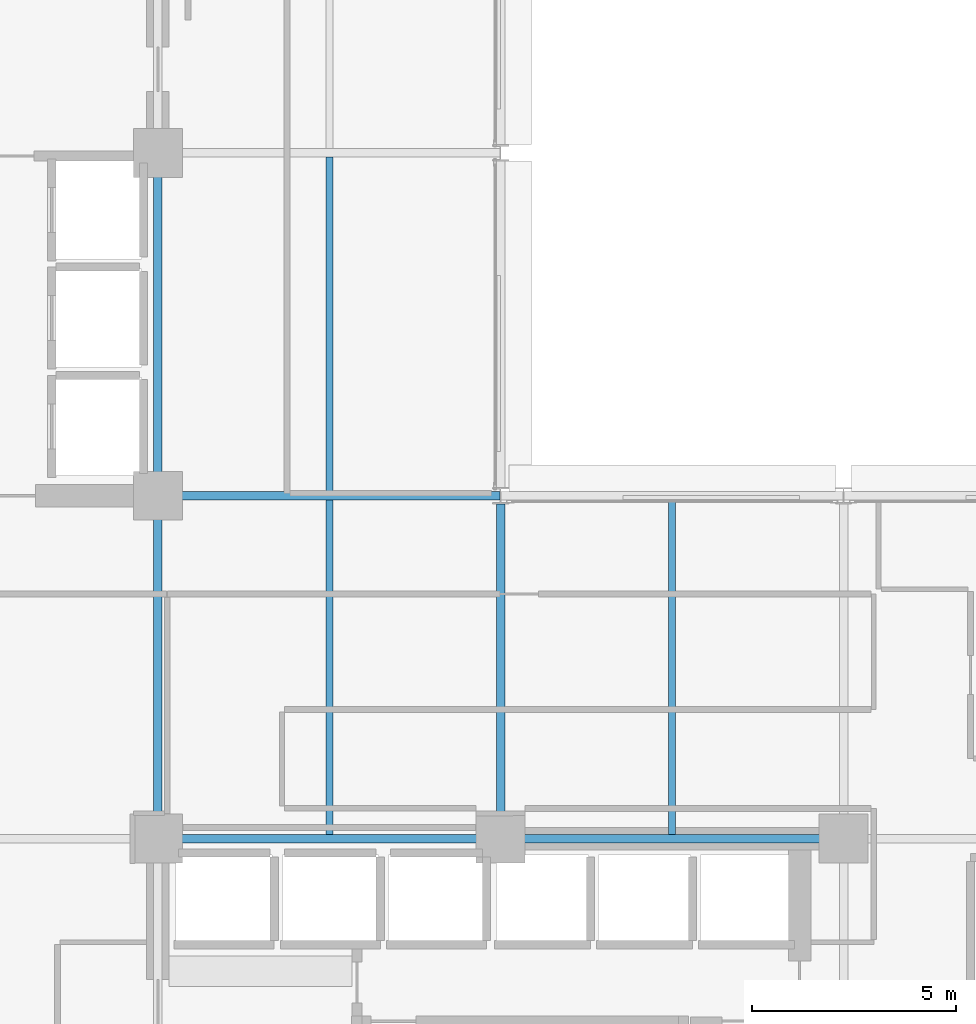
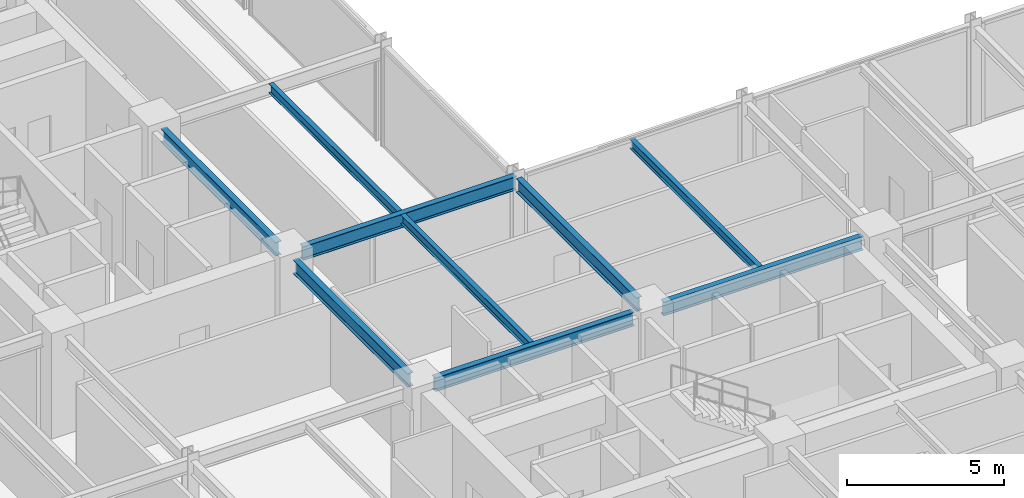
# One storey, part 14 of 39: 9 beams.
"""IFC4 building model written with IfcOpenShell, lengths in metres."""

from ifc_helpers import new_model, si_unit, direction, frame, origin, origin_2d, place, context, subcontext, project, spatial, i_section, extrude, material, material_profile, profile_set, type_object, element, save


model = new_model("IFC4")

# Units and contexts
model_context = context("Model", 3, precision=1e-05, world=origin(), true_north=direction((0.0, 1.0)))
body_context = subcontext(model_context, "Body", "Model", "MODEL_VIEW")
ifc_project = project(units=[si_unit("LENGTHUNIT", "METRE"), si_unit("AREAUNIT", "SQUARE_METRE"), si_unit("VOLUMEUNIT", "CUBIC_METRE"), si_unit("PLANEANGLEUNIT", "RADIAN"), si_unit("MASSUNIT", "GRAM", prefix="KILO")], contexts=[model_context])

# Site, building, storey
site_placement = place(None, origin())
site = spatial("IfcSite", under=ifc_project, at=site_placement, CompositionType="ELEMENT")
building_placement = place(site_placement, origin())
building = spatial("IfcBuilding", under=site, at=building_placement, Name="Nerrivon Quay Data Exchange", CompositionType="ELEMENT")
storey_placement = place(building_placement, frame((0.0, 0.0, 92.60009765625)))
storey = spatial("IfcBuildingStorey", under=building, at=storey_placement, Name="L21", CompositionType="ELEMENT", Elevation=92.60009765625)

# Beams
ifc_material = material(Name="Steel Grade 350", Category="steel")
ifc_material_profile_1 = material_profile(ifc_material, i_section(OverallWidth=0.208984375, OverallDepth=0.532958984375, WebThickness=0.01025390625, FlangeThickness=0.015625, FilletRadius=0.013916015625, at=origin_2d()), Name="530UB92.4")
ifc_profile_set_1 = profile_set([ifc_material_profile_1], Name="Steel Grade 350")
beam_type_1 = type_object("IfcBeamType", Name="BM-G3-530UB92", PredefinedType="BEAM", material=ifc_profile_set_1)
beam_1_placement = place(storey_placement, frame((17.340087890625, 16.800048828125, 3.558349609375), z_axis=(1.0, 0.0, 0.0), x_axis=(0.0, 1.0, 0.0)))
element("IfcBeam", 1, at=beam_1_placement, inside=storey, type_object=beam_type_1, Name="L21 EW Girder Y=16.8 (16.8..25.2)", PredefinedType="BEAM", context=body_context, shape_type="SweptSolid", body=[
    extrude(i_section(OverallWidth=0.208984375, OverallDepth=0.532958984375, WebThickness=0.01025390625, FlangeThickness=0.015625, FilletRadius=0.013916015625, at=origin_2d()), origin(), (0.0, 0.0, 1.0), 7.31982421875),
])
beam_2_placement = place(storey_placement, frame((25.739990234375, 16.800048828125, 3.558349609375), z_axis=(1.0, 0.0, 0.0), x_axis=(0.0, 1.0, 0.0)))
element("IfcBeam", 2, at=beam_2_placement, inside=storey, type_object=beam_type_1, Name="L21 EW Girder Y=16.8 (25.2..33.6)", PredefinedType="BEAM", context=body_context, shape_type="SweptSolid", body=[
    extrude(i_section(OverallWidth=0.208984375, OverallDepth=0.532958984375, WebThickness=0.01025390625, FlangeThickness=0.015625, FilletRadius=0.013916015625, at=origin_2d()), origin(), (0.0, 0.0, 1.0), 7.320068359375),
])
beam_3_placement = place(storey_placement, frame((17.340087890625, 25.199951171875, 3.558349609375), z_axis=(1.0, 0.0, 0.0), x_axis=(0.0, 1.0, 0.0)))
element("IfcBeam", 3, at=beam_3_placement, inside=storey, type_object=beam_type_1, Name="L21 EW Girder Y=25.2 (16.8..25.2)", PredefinedType="BEAM", context=body_context, shape_type="SweptSolid", body=[
    extrude(i_section(OverallWidth=0.208984375, OverallDepth=0.532958984375, WebThickness=0.01025390625, FlangeThickness=0.015625, FilletRadius=0.013916015625, at=origin_2d()), origin(), (0.0, 0.0, 1.0), 7.847412109375),
])
ifc_material_profile_2 = material_profile(ifc_material, i_section(OverallWidth=0.208984375, OverallDepth=0.528076171875, WebThickness=0.009521484375, FlangeThickness=0.01318359375, FilletRadius=0.013916015625, at=origin_2d()), Name="530UB82.0")
ifc_profile_set_2 = profile_set([ifc_material_profile_2], Name="Steel Grade 350")
beam_type_2 = type_object("IfcBeamType", Name="BM-G4-530UB82", PredefinedType="BEAM", material=ifc_profile_set_2)
beam_4_placement = place(storey_placement, frame((16.800048828125, 17.340087890625, 3.560791015625), z_axis=(0.0, 1.0, 0.0), x_axis=(-1.0, 0.0, 0.0)))
element("IfcBeam", 4, at=beam_4_placement, inside=storey, type_object=beam_type_2, Name="L21 NS Girder X=16.8 (16.8..25.2)", PredefinedType="BEAM", context=body_context, shape_type="SweptSolid", body=[
    extrude(i_section(OverallWidth=0.208984375, OverallDepth=0.528076171875, WebThickness=0.009521484375, FlangeThickness=0.01318359375, FilletRadius=0.013916015625, at=origin_2d()), origin(), (0.0, 0.0, 1.0), 7.31982421875),
])
beam_5_placement = place(storey_placement, frame((16.800048828125, 25.739990234375, 3.560791015625), z_axis=(0.0, 1.0, 0.0), x_axis=(-1.0, 0.0, 0.0)))
element("IfcBeam", 5, at=beam_5_placement, inside=storey, type_object=beam_type_2, Name="L21 NS Girder X=16.8 (25.2..33.6)", PredefinedType="BEAM", context=body_context, shape_type="SweptSolid", body=[
    extrude(i_section(OverallWidth=0.208984375, OverallDepth=0.528076171875, WebThickness=0.009521484375, FlangeThickness=0.01318359375, FilletRadius=0.013916015625, at=origin_2d()), origin(), (0.0, 0.0, 1.0), 7.320068359375),
])
beam_6_placement = place(storey_placement, frame((25.199951171875, 17.340087890625, 3.560791015625), z_axis=(0.0, 1.0, 0.0), x_axis=(-1.0, 0.0, 0.0)))
element("IfcBeam", 6, at=beam_6_placement, inside=storey, type_object=beam_type_2, Name="L21 NS Girder X=25.2 (16.8..25.2)", PredefinedType="BEAM", context=body_context, shape_type="SweptSolid", body=[
    extrude(i_section(OverallWidth=0.208984375, OverallDepth=0.528076171875, WebThickness=0.009521484375, FlangeThickness=0.01318359375, FilletRadius=0.013916015625, at=origin_2d()), origin(), (0.0, 0.0, 1.0), 7.659912109375),
])
ifc_material_profile_3 = material_profile(ifc_material, i_section(OverallWidth=0.1708984375, OverallDepth=0.35595703125, WebThickness=0.00732421875, FlangeThickness=0.011474609375, FilletRadius=0.011474609375, at=origin_2d()), Name="360UB50.7")
ifc_profile_set_3 = profile_set([ifc_material_profile_3], Name="Steel Grade 350")
beam_type_3 = type_object("IfcBeamType", Name="BM-J4-360UB51", PredefinedType="JOIST", material=ifc_profile_set_3)
beam_7_placement = place(storey_placement, frame((21.0, 16.904541015625, 3.64697265625), z_axis=(0.0, 1.0, 0.0), x_axis=(-1.0, 0.0, 0.0)))
element("IfcBeam", 7, at=beam_7_placement, inside=storey, type_object=beam_type_3, Name="L21 Secondary Joist X=21.0 (16.8..25.2)", PredefinedType="JOIST", context=body_context, shape_type="SweptSolid", body=[
    extrude(i_section(OverallWidth=0.1708984375, OverallDepth=0.35595703125, WebThickness=0.00732421875, FlangeThickness=0.011474609375, FilletRadius=0.011474609375, at=origin_2d()), origin(), (0.0, 0.0, 1.0), 8.19091796875),
])
beam_8_placement = place(storey_placement, frame((21.0, 25.304443359375, 3.64697265625), z_axis=(0.0, 1.0, 0.0), x_axis=(-1.0, 0.0, 0.0)))
element("IfcBeam", 8, at=beam_8_placement, inside=storey, type_object=beam_type_3, Name="L21 Secondary Joist X=21.0 (25.2..33.6)", PredefinedType="JOIST", context=body_context, shape_type="SweptSolid", body=[
    extrude(i_section(OverallWidth=0.1708984375, OverallDepth=0.35595703125, WebThickness=0.00732421875, FlangeThickness=0.011474609375, FilletRadius=0.011474609375, at=origin_2d()), origin(), (0.0, 0.0, 1.0), 8.191162109375),
])
beam_9_placement = place(storey_placement, frame((29.39990234375, 16.904541015625, 3.64697265625), z_axis=(0.0, 1.0, 0.0), x_axis=(-1.0, 0.0, 0.0)))
element("IfcBeam", 9, at=beam_9_placement, inside=storey, type_object=beam_type_3, Name="L21 Secondary Joist X=29.4 (16.8..25.2)", PredefinedType="JOIST", context=body_context, shape_type="SweptSolid", body=[
    extrude(i_section(OverallWidth=0.1708984375, OverallDepth=0.35595703125, WebThickness=0.00732421875, FlangeThickness=0.011474609375, FilletRadius=0.011474609375, at=origin_2d()), origin(), (0.0, 0.0, 1.0), 8.19091796875),
])

save(model, "model.ifc")
